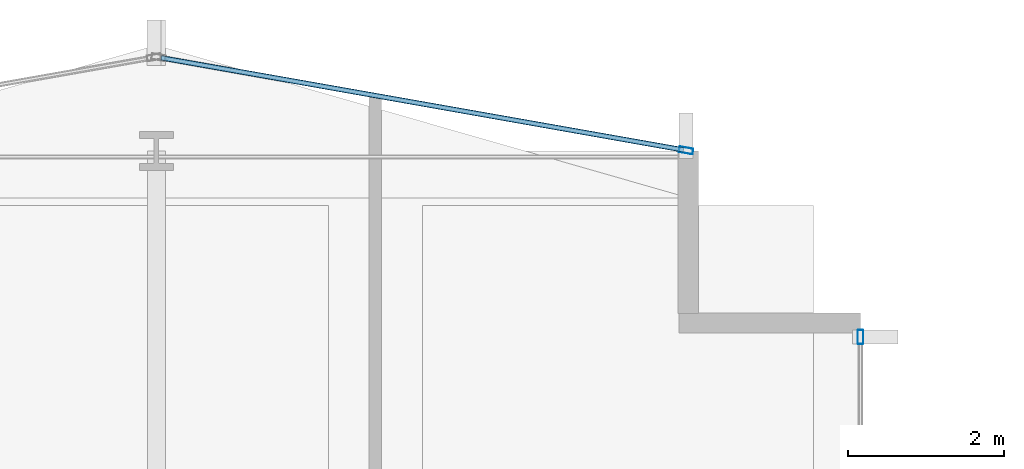
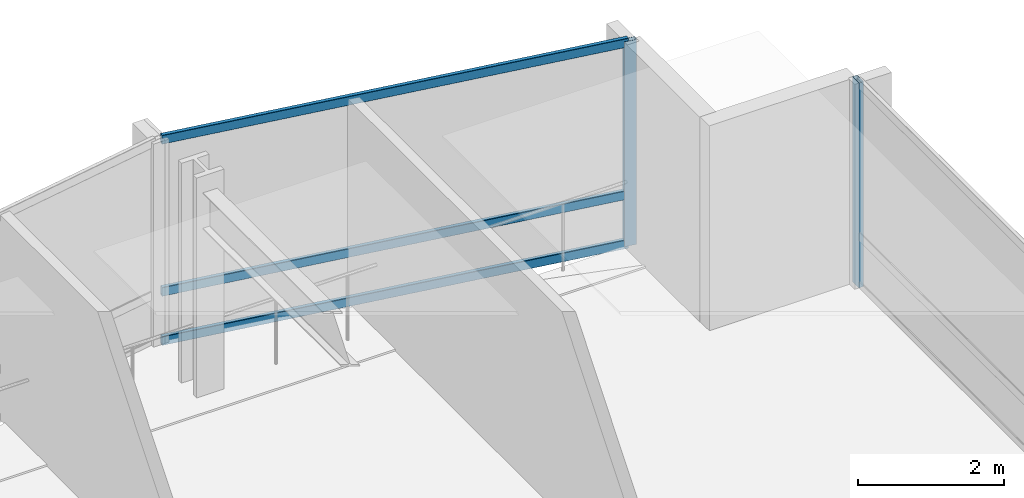
# One storey, part 24 of 34: 5 members, 2 elements without a shape of their own.
"""IFC4 building model written with IfcOpenShell, lengths in metres."""

from ifc_helpers import new_model, si_unit, direction, frame, origin, origin_2d, place, context, subcontext, project, spatial, hollow_rectangle, extrude, material, layer, layer_set, material_profile, profile_set, type_object, element, aggregate, save


model = new_model("IFC4")

# Units and contexts
model_context = context("Model", 3, precision=1e-05, world=origin(), true_north=direction((0.0, 1.0)))
body_context = subcontext(model_context, "Body", "Model", "MODEL_VIEW")
ifc_project = project(units=[si_unit("LENGTHUNIT", "METRE"), si_unit("AREAUNIT", "SQUARE_METRE"), si_unit("VOLUMEUNIT", "CUBIC_METRE"), si_unit("PLANEANGLEUNIT", "RADIAN"), si_unit("MASSUNIT", "GRAM", prefix="KILO")], contexts=[model_context])

# Site, building, storey
site_placement = place(None, origin())
site = spatial("IfcSite", under=ifc_project, at=site_placement, CompositionType="ELEMENT")
building_placement = place(site_placement, origin())
building = spatial("IfcBuilding", under=site, at=building_placement, Name="Solvaryn Broadcast Tower", CompositionType="ELEMENT")
storey_placement = place(building_placement, frame((0.0, 0.0, 36.0)))
storey = spatial("IfcBuildingStorey", under=building, at=storey_placement, Name="L07", CompositionType="ELEMENT", Elevation=36.0)

# Curtain wall, member
ifc_material_1 = material(Name="Aluminium and Terracotta Unitised Curtain Wall", Category="masonry")
ifc_layer = layer(ifc_material_1, 0.199951171875)
ifc_layer_set = layer_set([ifc_layer], Name="CW-SYS2-LOWMID")
curtain_wall_type = type_object("IfcCurtainWallType", Name="CW-SYS2-LOWMID", PredefinedType="NOTDEFINED", material=ifc_layer_set)
curtain_wall_1_placement = place(storey_placement, origin())
curtain_wall_1 = element("IfcCurtainWall", 1, at=curtain_wall_1_placement, inside=storey, type_object=curtain_wall_type, Name="L07 Curtain Wall IV", PredefinedType="NOTDEFINED")
ifc_material_2 = material(Name="Anodised Aluminium 6063-T6", Category="aluminium")
ifc_material_profile_1 = material_profile(ifc_material_2, hollow_rectangle(XDim=0.074951171875, YDim=0.179931640625, WallThickness=0.00390625, InnerFilletRadius=0.00390625, OuterFilletRadius=0.008056640625, at=origin_2d()))
ifc_profile_set_1 = profile_set([ifc_material_profile_1], Name="Anodised Aluminium 6063-T6")
member_type_1 = type_object("IfcMemberType", Name="CW-MUL-180", PredefinedType="MULLION", material=ifc_profile_set_1)
member_1_placement = place(storey_placement, frame((27.0, 51.6201171875, 0.0), z_axis=(0.0, 0.0, 1.0), x_axis=(1.0, 0.0, 0.0)))
member_1 = element("IfcMember", 2, at=member_1_placement, type_object=member_type_1, Name="CWS2 mullion 1", PredefinedType="MULLION", context=body_context, shape_type="SweptSolid", body=[
    extrude(hollow_rectangle(XDim=0.074951171875, YDim=0.179931640625, WallThickness=0.00390625, InnerFilletRadius=0.00390625, OuterFilletRadius=0.008056640625, at=origin_2d()), origin(), (0.0, 0.0, 1.0), 3.419921875),
])
aggregate(curtain_wall_1, [member_1])

# Curtain wall, members
curtain_wall_2_placement = place(storey_placement, origin())
curtain_wall_2 = element("IfcCurtainWall", 3, at=curtain_wall_2_placement, inside=storey, type_object=curtain_wall_type, Name="L07 Curtain Wall NT1", PredefinedType="NOTDEFINED")
member_2_placement = place(storey_placement, frame((24.7705078125, 54.005126953125, 0.0), z_axis=(0.0, 0.0, 1.0), x_axis=(-0.173785333901, -0.984783558819, 0.0)))
member_2 = element("IfcMember", 4, at=member_2_placement, type_object=member_type_1, Name="CWS2 mullion 1", PredefinedType="MULLION", context=body_context, shape_type="SweptSolid", body=[
    extrude(hollow_rectangle(XDim=0.074951171875, YDim=0.179931640625, WallThickness=0.00390625, InnerFilletRadius=0.00390625, OuterFilletRadius=0.008056640625, at=origin_2d()), origin(), (0.0, 0.0, 1.0), 3.419921875),
])
ifc_material_3 = material(Name="Anodised Aluminium 6063-T6", Category="aluminium")
ifc_material_profile_2 = material_profile(ifc_material_3, hollow_rectangle(XDim=0.06494140625, YDim=0.14990234375, WallThickness=0.00390625, InnerFilletRadius=0.00390625, OuterFilletRadius=0.008056640625, at=origin_2d()))
ifc_profile_set_2 = profile_set([ifc_material_profile_2], Name="Anodised Aluminium 6063-T6")
member_type_2 = type_object("IfcMemberType", Name="CW-TRN-150", PredefinedType="USERDEFINED", material=ifc_profile_set_2)
member_3_placement = place(storey_placement, frame((24.740966796875, 54.010498046875, 0.030029296875), z_axis=(-0.984788629673, 0.173756596613, 0.0), x_axis=(-0.173756596613, -0.984788629673, 0.0)))
member_3 = element("IfcMember", 5, at=member_3_placement, type_object=member_type_2, Name="CWS2 transom 1.1", ObjectType="TRANSOM", PredefinedType="USERDEFINED", context=body_context, shape_type="SweptSolid", body=[
    extrude(hollow_rectangle(XDim=0.06494140625, YDim=0.14990234375, WallThickness=0.00390625, InnerFilletRadius=0.00390625, OuterFilletRadius=0.008056640625, at=origin_2d()), origin(), (0.0, 0.0, 1.0), 6.78515625),
])
member_4_placement = place(storey_placement, frame((24.740966796875, 54.010498046875, 0.85009765625), z_axis=(-0.984788629673, 0.173756596613, 0.0), x_axis=(-0.173756596613, -0.984788629673, 0.0)))
member_4 = element("IfcMember", 6, at=member_4_placement, type_object=member_type_2, Name="CWS2 transom 1.2", ObjectType="TRANSOM", PredefinedType="USERDEFINED", context=body_context, shape_type="SweptSolid", body=[
    extrude(hollow_rectangle(XDim=0.06494140625, YDim=0.14990234375, WallThickness=0.00390625, InnerFilletRadius=0.00390625, OuterFilletRadius=0.008056640625, at=origin_2d()), origin(), (0.0, 0.0, 1.0), 6.78515625),
])
member_5_placement = place(storey_placement, frame((24.740966796875, 54.010498046875, 3.389892578125), z_axis=(-0.984788629673, 0.173756596613, 0.0), x_axis=(-0.173756596613, -0.984788629673, 0.0)))
member_5 = element("IfcMember", 7, at=member_5_placement, type_object=member_type_2, Name="CWS2 transom 1.3", ObjectType="TRANSOM", PredefinedType="USERDEFINED", context=body_context, shape_type="SweptSolid", body=[
    extrude(hollow_rectangle(XDim=0.06494140625, YDim=0.14990234375, WallThickness=0.00390625, InnerFilletRadius=0.00390625, OuterFilletRadius=0.008056640625, at=origin_2d()), origin(), (0.0, 0.0, 1.0), 6.78515625),
])
aggregate(curtain_wall_2, [member_2, member_3, member_4, member_5])

save(model, "model.ifc")
